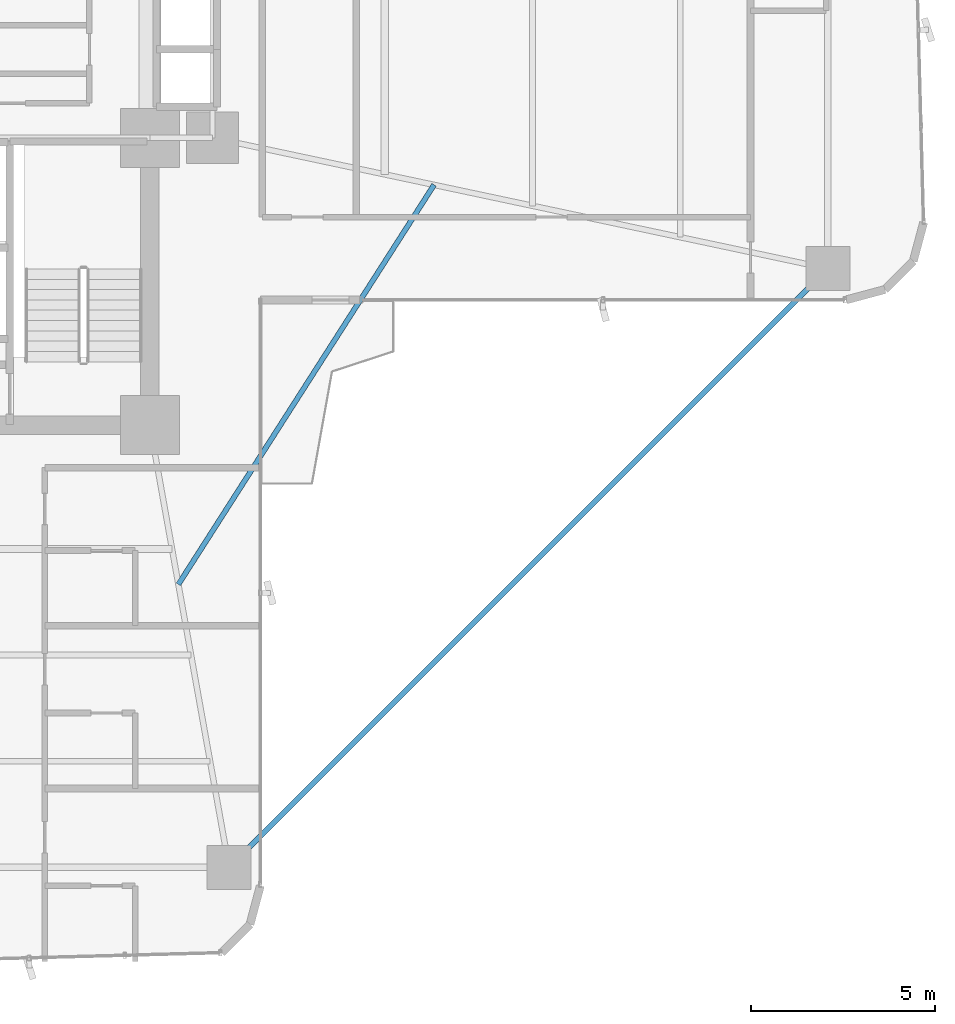
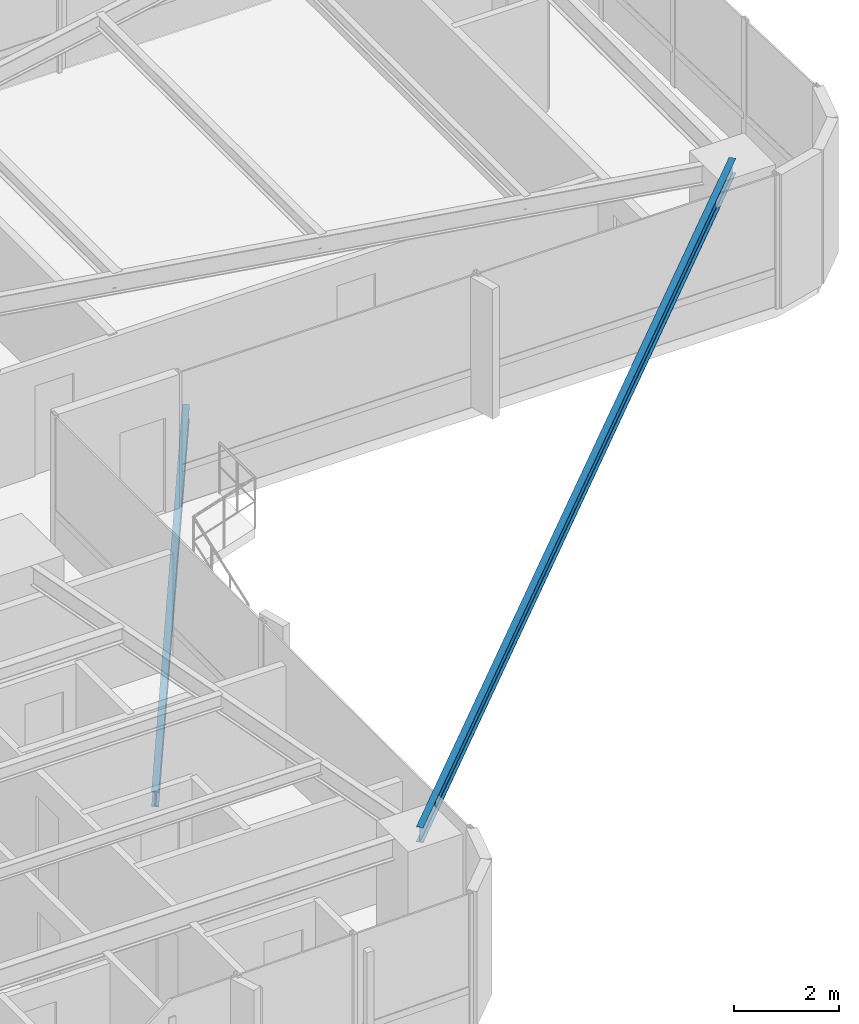
# One storey, part 13 of 25: 2 beams.
"""IFC4 building model written with IfcOpenShell, lengths in metres."""

from ifc_helpers import new_model, si_unit, direction, frame, origin, origin_2d, place, context, subcontext, project, spatial, i_section, extrude, source, transform, mapped, material, material_profile, profile_set, type_object, element, save


model = new_model("IFC4")

# Units and contexts
model_context = context("Model", 3, precision=1e-05, world=origin(), true_north=direction((0.0, 1.0)))
body_context = subcontext(model_context, "Body", "Model", "MODEL_VIEW")
ifc_project = project(units=[si_unit("LENGTHUNIT", "METRE"), si_unit("AREAUNIT", "SQUARE_METRE"), si_unit("VOLUMEUNIT", "CUBIC_METRE"), si_unit("PLANEANGLEUNIT", "RADIAN"), si_unit("MASSUNIT", "GRAM", prefix="KILO")], contexts=[model_context])

# Site, building, storey
site_placement = place(None, origin())
site = spatial("IfcSite", under=ifc_project, at=site_placement, CompositionType="ELEMENT")
building_placement = place(site_placement, origin())
building = spatial("IfcBuilding", under=site, at=building_placement, Name="Sahyath Konkavel Grand Hotel", CompositionType="ELEMENT")
storey_placement = place(building_placement, frame((0.0, 0.0, 64.449951171875)))
storey = spatial("IfcBuildingStorey", under=building, at=storey_placement, Name="L17", CompositionType="ELEMENT", Elevation=64.449951171875)

# Beams
ifc_material = material(Name="Steel E350", Category="steel")
ifc_material_profile_1 = material_profile(ifc_material, i_section(OverallWidth=0.139892578125, OverallDepth=0.35009765625, WebThickness=0.008056640625, FlangeThickness=0.01416015625, FilletRadius=0.013916015625, at=origin_2d()), Name="ISMB 350")
ifc_profile_set_1 = profile_set([ifc_material_profile_1], Name="Steel E350")
beam_type_1 = type_object("IfcBeamType", Name="BM-ISMB350", PredefinedType="BEAM", material=ifc_profile_set_1)
shared_shape_1 = source(origin(), body_context, "Body", "SweptSolid", [
    extrude(i_section(OverallWidth=0.139892578125, OverallDepth=0.35009765625, WebThickness=0.008056640625, FlangeThickness=0.01416015625, FilletRadius=0.013916015625, at=origin_2d()), origin(), (0.0, 0.0, 1.0), 22.98095703125),
])
beam_1_placement = place(storey_placement, frame((22.199951171875, -5.949951171875, 2.93505859375), z_axis=(-0.707106781187, -0.707106781187, 0.0), x_axis=(0.707106781187, -0.707106781187, 0.0)))
element("IfcBeam", 1, at=beam_1_placement, inside=storey, type_object=beam_type_1, Name="L17 Re-Entrant Tie Beam SE", PredefinedType="BEAM", context=body_context, shape_type="MappedRepresentation", body=[
    mapped(shared_shape_1, transform((0.0, 0.0, 0.0), scale=1.0)),
])
ifc_material_profile_2 = material_profile(ifc_material, i_section(OverallWidth=0.139892578125, OverallDepth=0.35009765625, WebThickness=0.008056640625, FlangeThickness=0.01416015625, FilletRadius=0.013916015625, at=origin_2d()), Name="ISMB 350")
ifc_profile_set_2 = profile_set([ifc_material_profile_2], Name="Steel E350")
beam_type_2 = type_object("IfcBeamType", Name="BM-BALC-CANT", PredefinedType="BEAM", material=ifc_profile_set_2)
shared_shape_2 = source(origin(), body_context, "Body", "SweptSolid", [
    extrude(i_section(OverallWidth=0.139892578125, OverallDepth=0.35009765625, WebThickness=0.008056640625, FlangeThickness=0.01416015625, FilletRadius=0.013916015625, at=origin_2d()), origin(), (0.0, 0.0, 1.0), 12.871826171875),
])
beam_2_placement = place(storey_placement, frame((4.573974609375, -14.52001953125, -0.4150390625), z_axis=(0.539003102535, 0.842303778608, 0.0), x_axis=(-0.842303778608, 0.539003102535, 0.0)))
element("IfcBeam", 2, at=beam_2_placement, inside=storey, type_object=beam_type_2, Name="L17 Balcony Cantilever Support Beam SE", PredefinedType="BEAM", context=body_context, shape_type="MappedRepresentation", body=[
    mapped(shared_shape_2, transform((0.0, 0.0, 0.0), scale=1.0)),
])

save(model, "model.ifc")
